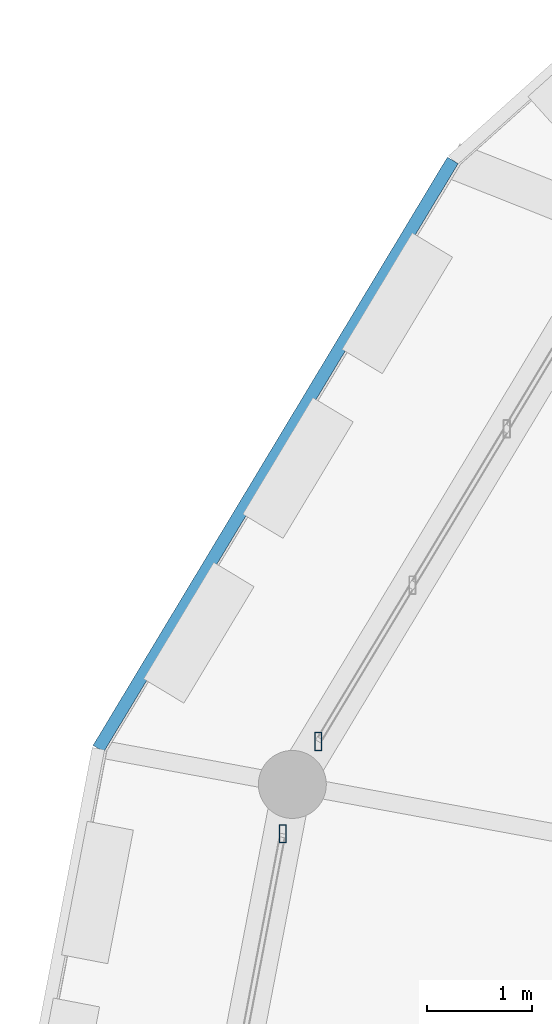
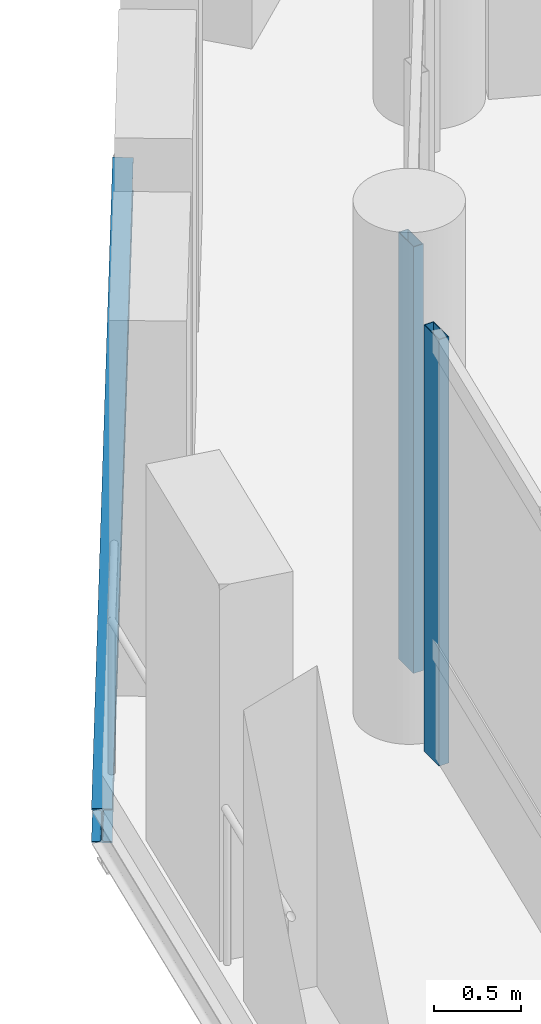
# One storey, part 37 of 93: 2 members, 1 beam, 2 elements without a shape of their own.
"""IFC4 building model written with IfcOpenShell, lengths in metres."""

from ifc_helpers import new_model, si_unit, direction, frame, origin, origin_2d, place, context, subcontext, project, spatial, hollow_rectangle, i_section, extrude, material, material_profile, profile_set, type_object, element, aggregate, save


model = new_model("IFC4")

# Units and contexts
model_context = context("Model", 3, precision=1e-05, world=origin(), true_north=direction((0.0, 1.0)))
body_context = subcontext(model_context, "Body", "Model", "MODEL_VIEW")
ifc_project = project(units=[si_unit("LENGTHUNIT", "METRE"), si_unit("AREAUNIT", "SQUARE_METRE"), si_unit("VOLUMEUNIT", "CUBIC_METRE"), si_unit("PLANEANGLEUNIT", "RADIAN"), si_unit("MASSUNIT", "GRAM", prefix="KILO")], contexts=[model_context])

# Site, building, storey
site_placement = place(None, origin())
site = spatial("IfcSite", under=ifc_project, at=site_placement, CompositionType="ELEMENT")
building_placement = place(site_placement, origin())
building = spatial("IfcBuilding", under=site, at=building_placement, Name="Zornivar Specialist Clinic", CompositionType="ELEMENT")
storey_placement = place(building_placement, frame((0.0, 0.0, 8.39990234375)))
storey = spatial("IfcBuildingStorey", under=building, at=storey_placement, Name="L02", CompositionType="ELEMENT", Elevation=8.39990234375)

# Beam
ifc_material_1 = material(Name="Steel S355J2", Category="steel")
ifc_material_profile_1 = material_profile(ifc_material_1, i_section(OverallWidth=0.1201171875, OverallDepth=0.239990234375, WebThickness=0.006103515625, FlangeThickness=0.009765625, FilletRadius=0.014892578125, at=origin_2d()), Name="IPE 240")
ifc_profile_set_1 = profile_set([ifc_material_profile_1], Name="Steel S355J2")
beam_type = type_object("IfcBeamType", Name="BM-STL-IPE240", PredefinedType="JOIST", material=ifc_profile_set_1)
beam_placement = place(storey_placement, frame((64.22412109375, 69.260009765625, -0.35986328125), z_axis=(-0.516036958114, -0.856566318425, 0.0), x_axis=(0.856566318425, -0.516036958114, 0.0)))
element("IfcBeam", 1, at=beam_placement, inside=storey, type_object=beam_type, Name="bm:V1:L02:balring:10", PredefinedType="JOIST", context=body_context, shape_type="SweptSolid", body=[
    extrude(i_section(OverallWidth=0.1201171875, OverallDepth=0.239990234375, WebThickness=0.006103515625, FlangeThickness=0.009765625, FilletRadius=0.014892578125, at=origin_2d()), origin(), (0.0, 0.0, 1.0), 6.565673828125),
])

# Curtain wall, member
ifc_material_2 = material(Name="Aluminium and Low-E Glass Curtain Wall", Category="aluminium")
curtain_wall_type = type_object("IfcCurtainWallType", Name="CW-DRUM-FACET", PredefinedType="NOTDEFINED", material=ifc_material_2)
curtain_wall_1_placement = place(storey_placement, origin())
curtain_wall_1 = element("IfcCurtainWall", 2, at=curtain_wall_1_placement, inside=storey, type_object=curtain_wall_type, Name="cw:V1:L02:c10", PredefinedType="NOTDEFINED")
ifc_material_3 = material(Name="Aluminium AW-6060", Category="aluminium")
ifc_material_profile_2 = material_profile(ifc_material_3, hollow_rectangle(XDim=0.06494140625, YDim=0.175048828125, WallThickness=0.00439453125, at=origin_2d()), Name="ALU 65x175x4.5")
ifc_profile_set_2 = profile_set([ifc_material_profile_2], Name="Aluminium AW-6060")
member_type = type_object("IfcMemberType", Name="CWM-MUL-175", PredefinedType="MULLION", material=ifc_profile_set_2)
member_1_placement = place(storey_placement, frame((62.93798828125, 63.705078125, 0.0), z_axis=(0.0, 0.0, 1.0), x_axis=(1.0, 0.0, 0.0)))
member_1 = element("IfcMember", 3, at=member_1_placement, type_object=member_type, Name="cw:V1:L02:c10:mul:3", PredefinedType="MULLION", context=body_context, shape_type="SweptSolid", body=[
    extrude(hollow_rectangle(XDim=0.06494140625, YDim=0.175048828125, WallThickness=0.00439453125, at=origin_2d()), origin(), (0.0, 0.0, 1.0), 3.010009765625),
])
aggregate(curtain_wall_1, [member_1])

curtain_wall_2_placement = place(storey_placement, origin())
curtain_wall_2 = element("IfcCurtainWall", 4, at=curtain_wall_2_placement, inside=storey, type_object=curtain_wall_type, Name="cw:V1:L02:c11", PredefinedType="NOTDEFINED")
member_2_placement = place(storey_placement, frame((62.59912109375, 62.822998046875, 0.0), z_axis=(0.0, 0.0, 1.0), x_axis=(1.0, 0.0, 0.0)))
member_2 = element("IfcMember", 5, at=member_2_placement, type_object=member_type, Name="cw:V1:L02:c11:mul:0", PredefinedType="MULLION", context=body_context, shape_type="SweptSolid", body=[
    extrude(hollow_rectangle(XDim=0.06494140625, YDim=0.175048828125, WallThickness=0.00439453125, at=origin_2d()), origin(), (0.0, 0.0, 1.0), 3.010009765625),
])
aggregate(curtain_wall_2, [member_2])

save(model, "model.ifc")
